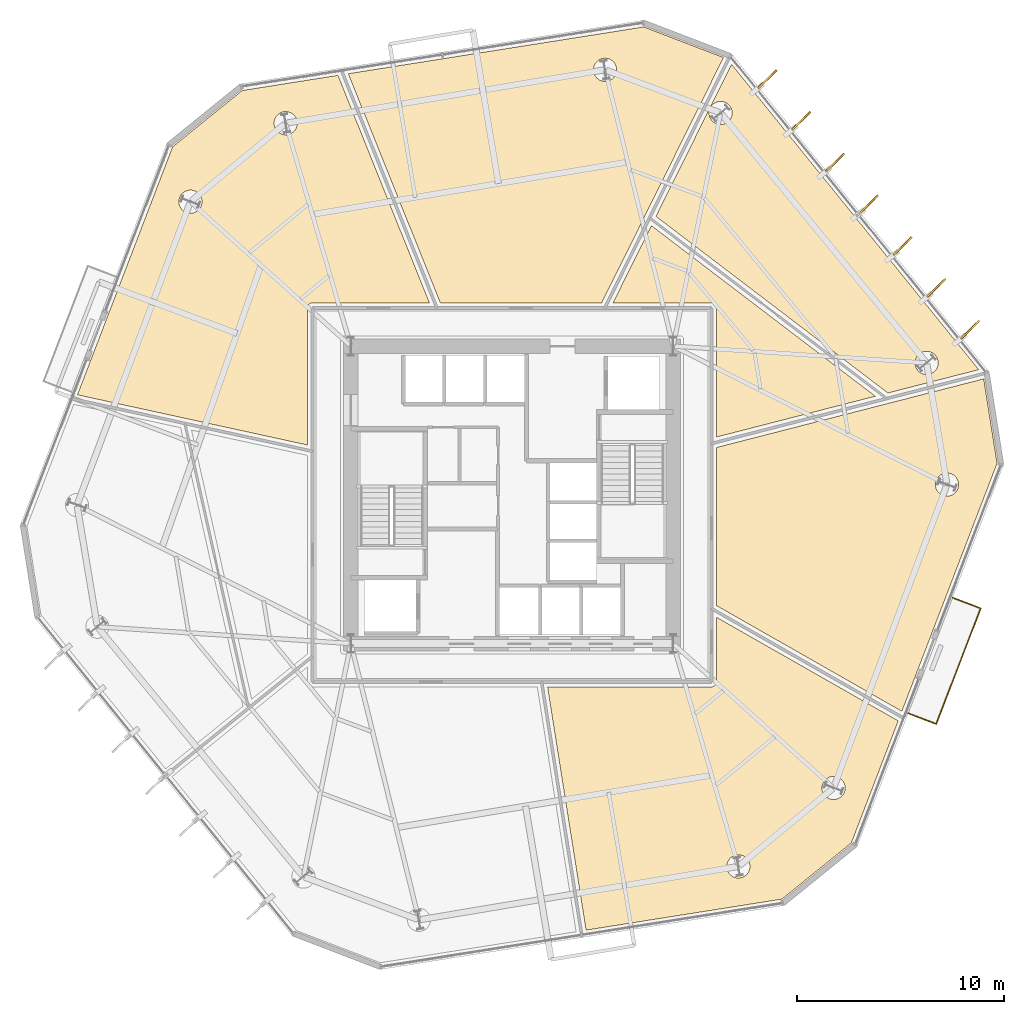
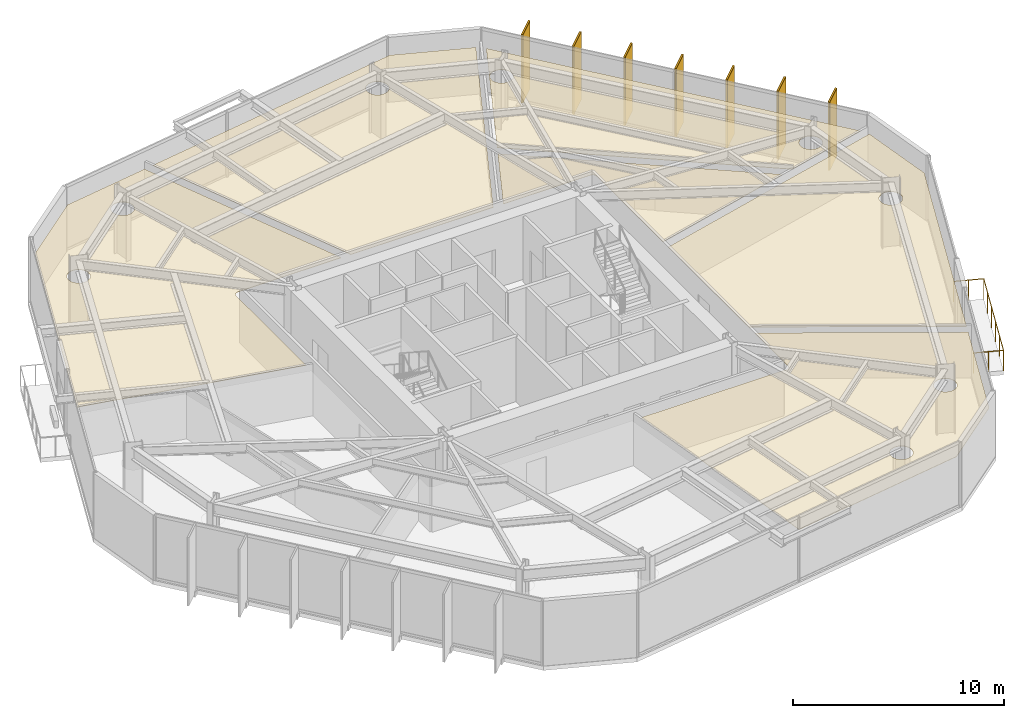
# One storey, part 11 of 11: 13 coverings, 7 shading devices, 1 railing.
"""IFC4 building model written with IfcOpenShell, lengths in metres."""

from ifc_helpers import new_model, si_unit, direction, frame, origin, origin_2d, place, context, subcontext, project, spatial, polyline, rectangle, circle, outline, extrude, material, layer, layer_set, type_object, element, save


model = new_model("IFC4")

# Units and contexts
model_context = context("Model", 3, precision=1e-05, world=origin(), true_north=direction((0.0, 1.0)))
body_context = subcontext(model_context, "Body", "Model", "MODEL_VIEW")
ifc_project = project(units=[si_unit("LENGTHUNIT", "METRE"), si_unit("AREAUNIT", "SQUARE_METRE"), si_unit("VOLUMEUNIT", "CUBIC_METRE"), si_unit("PLANEANGLEUNIT", "RADIAN"), si_unit("MASSUNIT", "GRAM", prefix="KILO")], contexts=[model_context])

# Site, building, storey
site_placement = place(None, origin())
site = spatial("IfcSite", under=ifc_project, at=site_placement, CompositionType="ELEMENT")
building_placement = place(site_placement, origin())
building = spatial("IfcBuilding", under=site, at=building_placement, Name="Kranzbogen Civic Tower", CompositionType="ELEMENT")
storey_placement = place(building_placement, frame((0.0, 0.0, 56.0)))
storey = spatial("IfcBuildingStorey", under=building, at=storey_placement, Name="L13", CompositionType="ELEMENT", Elevation=56.0)

# Coverings
ifc_material_1 = material(Name="Pale Anodised Aluminium", Category="aluminium")
ifc_layer_1 = layer(ifc_material_1, 0.02490234375, Name="Pale Anodised Aluminium")
ifc_layer_set_1 = layer_set([ifc_layer_1], Name="Pale Anodised Aluminium")
covering_type_1 = type_object("IfcCoveringType", Name="Anodised Aluminium Vertical Fin Cladding 25 mm", PredefinedType="CLADDING", material=ifc_layer_set_1)
for number, where, z_axis, x_axis, name in (
    (1, (47.180908203125, 32.9990234375, -0.139892578125), (0.0, 0.0, 1.0), (0.716180145105, 0.697915467487, 0.0), "L13 vertical fin pale-metal cladding F1-1"),
    (2, (45.544921875, 35.02001953125, -0.139892578125), (0.0, 0.0, 1.0), (0.716180145105, 0.697915467487, 0.0), "L13 vertical fin pale-metal cladding F1-2"),
    (3, (43.908935546875, 37.041015625, -0.139892578125), (0.0, 0.0, 1.0), (0.716180145105, 0.697915467487, 0.0), "L13 vertical fin pale-metal cladding F1-3"),
    (4, (42.27294921875, 39.06103515625, -0.139892578125), (0.0, 0.0, 1.0), (0.716180145105, 0.697915467487, 0.0), "L13 vertical fin pale-metal cladding F1-4"),
    (5, (40.636962890625, 41.08203125, -0.139892578125), (0.0, 0.0, 1.0), (0.716180145105, 0.697915467487, 0.0), "L13 vertical fin pale-metal cladding F1-5"),
    (6, (39.0, 43.10302734375, -0.139892578125), (0.0, 0.0, 1.0), (0.716180145105, 0.697915467487, 0.0), "L13 vertical fin pale-metal cladding F1-6"),
    (7, (37.364013671875, 45.123046875, -0.139892578125), (0.0, 0.0, 1.0), (0.716180145105, 0.697915467487, 0.0), "L13 vertical fin pale-metal cladding F1-7"),
):
    element("IfcCovering", number, at=place(storey_placement, frame(where, z_axis=z_axis, x_axis=x_axis)), inside=storey, type_object=covering_type_1, Name=name, PredefinedType="CLADDING", context=body_context, shape_type="SweptSolid", body=[
        extrude(rectangle(XDim=1.25, YDim=0.10009765625, at=origin_2d()), origin(), (0.0, 0.0, 1.0), 3.9599609375),
    ])

# Shading devices
ifc_material_2 = material(Name="Anodised Bronze Aluminium", Category="aluminium")
shading_device_type = type_object("IfcShadingDeviceType", Name="Anodised Bronze Vertical Facade Fin 1250x80", PredefinedType="USERDEFINED", material=ifc_material_2)
for number, where, z_axis, x_axis, name in (
    (8, (47.180908203125, 32.9990234375, -0.139892578125), (0.0, 0.0, 1.0), (0.716180145105, 0.697915467487, 0.0), "L13 vertical exterior shading fin F1-1"),
    (9, (45.544921875, 35.02001953125, -0.139892578125), (0.0, 0.0, 1.0), (0.716180145105, 0.697915467487, 0.0), "L13 vertical exterior shading fin F1-2"),
    (10, (43.908935546875, 37.041015625, -0.139892578125), (0.0, 0.0, 1.0), (0.716180145105, 0.697915467487, 0.0), "L13 vertical exterior shading fin F1-3"),
    (11, (42.27294921875, 39.06103515625, -0.139892578125), (0.0, 0.0, 1.0), (0.716180145105, 0.697915467487, 0.0), "L13 vertical exterior shading fin F1-4"),
    (12, (40.636962890625, 41.08203125, -0.139892578125), (0.0, 0.0, 1.0), (0.716180145105, 0.697915467487, 0.0), "L13 vertical exterior shading fin F1-5"),
    (13, (39.0, 43.10302734375, -0.139892578125), (0.0, 0.0, 1.0), (0.716180145105, 0.697915467487, 0.0), "L13 vertical exterior shading fin F1-6"),
    (14, (37.364013671875, 45.123046875, -0.139892578125), (0.0, 0.0, 1.0), (0.716180145105, 0.697915467487, 0.0), "L13 vertical exterior shading fin F1-7"),
):
    element("IfcShadingDevice", number, at=place(storey_placement, frame(where, z_axis=z_axis, x_axis=x_axis)), inside=storey, type_object=shading_device_type, Name=name, ObjectType="FIN", PredefinedType="USERDEFINED", context=body_context, shape_type="SweptSolid", body=[
        extrude(rectangle(XDim=1.25, YDim=0.080078125, at=origin_2d()), origin(), (0.0, 0.0, 1.0), 3.9599609375),
    ])

# Railing
railing_type = type_object("IfcRailingType", Name="Cantilevered Balcony Glass and Bronze Balustrade 1200", PredefinedType="BALUSTRADE", material=ifc_material_2)
railing_placement = place(storey_placement, frame((44.18408203125, 14.423095703125, 0.0)))
element("IfcRailing", 15, at=railing_placement, inside=storey, type_object=railing_type, Name="L13 exterior terrace balustrade L13-TB2", PredefinedType="BALUSTRADE", context=body_context, shape_type="SweptSolid", body=[
    extrude(circle(Radius=0.02392578125, at=origin_2d()), frame((0.0, 0.0, 1.17578125), z_axis=(0.933519025959, -0.358527862476, 0.0), x_axis=(0.358527862476, 0.933519025959, 0.0)), (0.0, 0.0, 1.0), 1.450439453125),
    extrude(circle(Radius=0.02392578125, at=origin_2d()), frame((1.35400390625, -0.52001953125, 1.17578125), z_axis=(0.358359975202, 0.933583487522, 0.0), x_axis=(-0.933583487522, 0.358359975202, 0.0)), (0.0, 0.0, 1.0), 5.999267578125),
    extrude(circle(Radius=0.02392578125, at=origin_2d()), frame((3.50390625, 5.080810546875, 1.17578125), z_axis=(-0.933519025959, 0.358527862476, 0.0), x_axis=(-0.358527862476, -0.933519025959, 0.0)), (0.0, 0.0, 1.0), 1.450439453125),
    extrude(circle(Radius=0.02099609375, at=origin_2d()), origin(), (0.0, 0.0, 1.0), 1.15185546875),
    extrude(circle(Radius=0.02099609375, at=origin_2d()), frame((0.677001953125, -0.260009765625, 0.0)), (0.0, 0.0, 1.0), 1.15185546875),
    extrude(circle(Radius=0.02099609375, at=origin_2d()), frame((1.35400390625, -0.52001953125, 0.0)), (0.0, 0.0, 1.0), 1.15185546875),
    extrude(circle(Radius=0.02099609375, at=origin_2d()), frame((1.783935546875, 0.60009765625, 0.0)), (0.0, 0.0, 1.0), 1.15185546875),
    extrude(circle(Radius=0.02099609375, at=origin_2d()), frame((2.2138671875, 1.72021484375, 0.0)), (0.0, 0.0, 1.0), 1.15185546875),
    extrude(circle(Radius=0.02099609375, at=origin_2d()), frame((2.64404296875, 2.840576171875, 0.0)), (0.0, 0.0, 1.0), 1.15185546875),
    extrude(circle(Radius=0.02099609375, at=origin_2d()), frame((3.073974609375, 3.960693359375, 0.0)), (0.0, 0.0, 1.0), 1.15185546875),
    extrude(circle(Radius=0.02099609375, at=origin_2d()), frame((3.50390625, 5.080810546875, 0.0)), (0.0, 0.0, 1.0), 1.15185546875),
    extrude(circle(Radius=0.02099609375, at=origin_2d()), frame((2.826904296875, 5.3408203125, 0.0)), (0.0, 0.0, 1.0), 1.15185546875),
    extrude(circle(Radius=0.02099609375, at=origin_2d()), frame((2.14990234375, 5.600830078125, 0.0)), (0.0, 0.0, 1.0), 1.15185546875),
])

# Coverings
ifc_material_3 = material(Name="Perforated Acoustic Gypsum Ceiling")
ifc_layer_2 = layer(ifc_material_3, 0.02490234375, Name="Perforated Acoustic Gypsum Ceiling")
ifc_layer_set_2 = layer_set([ifc_layer_2], Name="Perforated Acoustic Gypsum Ceiling")
covering_type_2 = type_object("IfcCoveringType", Name="Perforated Acoustic Mineral Ceiling Tile 25 mm", PredefinedType="CEILING", material=ifc_layer_set_2)
covering_1_placement = place(storey_placement, frame((0.0, 0.0, 2.75)))
element("IfcCovering", 16, at=covering_1_placement, inside=storey, type_object=covering_type_2, Name="L13 Staff Tea Pantry acoustic ceiling", PredefinedType="CEILING", context=body_context, shape_type="SweptSolid", body=[
    extrude(outline(polyline([(38.06591796875, 5.427978515625), (28.5859375, 3.927001953125), (26.719970703125, 15.705078125), (34.64990234375, 15.705078125), (34.658935546875, 15.705078125), (34.6650390625, 15.7060546875), (34.68310546875, 15.70703125), (34.68896484375, 15.7080078125), (34.7060546875, 15.7119140625), (34.712890625, 15.712890625), (34.72998046875, 15.718017578125), (34.736083984375, 15.719970703125), (34.751953125, 15.72705078125), (34.758056640625, 15.72998046875), (34.77294921875, 15.738037109375), (34.779052734375, 15.741943359375), (34.79296875, 15.7509765625), (34.798095703125, 15.7548828125), (34.81201171875, 15.76611328125), (34.81689453125, 15.77099609375), (34.8291015625, 15.782958984375), (34.833984375, 15.7880859375), (34.844970703125, 15.802001953125), (34.84912109375, 15.806884765625), (34.85791015625, 15.821044921875), (34.862060546875, 15.826904296875), (34.8701171875, 15.842041015625), (34.873046875, 15.847900390625), (34.8798828125, 15.864013671875), (34.882080078125, 15.8701171875), (34.886962890625, 15.886962890625), (34.887939453125, 15.89404296875), (34.89208984375, 15.910888671875), (34.89306640625, 15.9169921875), (34.89404296875, 15.93505859375), (34.89501953125, 15.94091796875), (34.89501953125, 15.949951171875), (34.89501953125, 19.075927734375), (43.696044921875, 14.05908203125), (41.427978515625, 8.15087890625), (38.06591796875, 5.427978515625)]), holes=[polyline([(36.47509765625, 6.798095703125), (36.450927734375, 6.748046875), (36.423095703125, 6.700927734375), (36.389892578125, 6.656982421875), (36.35400390625, 6.615966796875), (36.31298828125, 6.580078125), (36.26904296875, 6.547119140625), (36.221923828125, 6.51904296875), (36.172119140625, 6.4951171875), (36.1201171875, 6.47705078125), (36.06689453125, 6.462890625), (36.012939453125, 6.455078125), (35.9580078125, 6.452880859375), (35.903076171875, 6.455078125), (35.84912109375, 6.462890625), (35.7958984375, 6.47705078125), (35.743896484375, 6.4951171875), (35.694091796875, 6.51904296875), (35.64697265625, 6.547119140625), (35.60302734375, 6.580078125), (35.56201171875, 6.615966796875), (35.52587890625, 6.656982421875), (35.492919921875, 6.700927734375), (35.465087890625, 6.748046875), (35.44091796875, 6.798095703125), (35.423095703125, 6.85009765625), (35.408935546875, 6.903076171875), (35.40087890625, 6.95703125), (35.39892578125, 7.011962890625), (35.40087890625, 7.06689453125), (35.408935546875, 7.12109375), (35.423095703125, 7.174072265625), (35.44091796875, 7.22607421875), (35.465087890625, 7.27587890625), (35.492919921875, 7.322998046875), (35.52587890625, 7.366943359375), (35.56201171875, 7.407958984375), (35.60302734375, 7.444091796875), (35.64697265625, 7.47705078125), (35.694091796875, 7.5048828125), (35.743896484375, 7.529052734375), (35.7958984375, 7.547119140625), (35.84912109375, 7.56103515625), (35.903076171875, 7.569091796875), (35.9580078125, 7.571044921875), (36.012939453125, 7.569091796875), (36.06689453125, 7.56103515625), (36.1201171875, 7.547119140625), (36.172119140625, 7.529052734375), (36.221923828125, 7.5048828125), (36.26904296875, 7.47705078125), (36.31298828125, 7.444091796875), (36.35400390625, 7.407958984375), (36.389892578125, 7.366943359375), (36.423095703125, 7.322998046875), (36.450927734375, 7.27587890625), (36.47509765625, 7.22607421875), (36.492919921875, 7.174072265625), (36.507080078125, 7.12109375), (36.514892578125, 7.06689453125), (36.51708984375, 7.011962890625), (36.514892578125, 6.95703125), (36.507080078125, 6.903076171875), (36.492919921875, 6.85009765625), (36.47509765625, 6.798095703125)]), polyline([(41.083984375, 10.596923828125), (41.06005859375, 10.547119140625), (41.031982421875, 10.5), (40.9990234375, 10.4560546875), (40.962890625, 10.4150390625), (40.922119140625, 10.37890625), (40.8779296875, 10.345947265625), (40.8310546875, 10.318115234375), (40.781005859375, 10.2939453125), (40.72900390625, 10.27587890625), (40.676025390625, 10.261962890625), (40.6220703125, 10.25390625), (40.56689453125, 10.251953125), (40.511962890625, 10.25390625), (40.4580078125, 10.261962890625), (40.405029296875, 10.27587890625), (40.35302734375, 10.2939453125), (40.302978515625, 10.318115234375), (40.256103515625, 10.345947265625), (40.2119140625, 10.37890625), (40.1708984375, 10.4150390625), (40.135009765625, 10.4560546875), (40.10205078125, 10.5), (40.073974609375, 10.547119140625), (40.050048828125, 10.596923828125), (40.031982421875, 10.64892578125), (40.01806640625, 10.701904296875), (40.010009765625, 10.756103515625), (40.008056640625, 10.81103515625), (40.010009765625, 10.865966796875), (40.01806640625, 10.919921875), (40.031982421875, 10.972900390625), (40.050048828125, 11.02490234375), (40.073974609375, 11.074951171875), (40.10205078125, 11.1220703125), (40.135009765625, 11.166015625), (40.1708984375, 11.20703125), (40.2119140625, 11.242919921875), (40.256103515625, 11.27587890625), (40.302978515625, 11.303955078125), (40.35302734375, 11.327880859375), (40.405029296875, 11.345947265625), (40.4580078125, 11.360107421875), (40.511962890625, 11.367919921875), (40.56689453125, 11.3701171875), (40.6220703125, 11.367919921875), (40.676025390625, 11.360107421875), (40.72900390625, 11.345947265625), (40.781005859375, 11.327880859375), (40.8310546875, 11.303955078125), (40.8779296875, 11.27587890625), (40.922119140625, 11.242919921875), (40.962890625, 11.20703125), (40.9990234375, 11.166015625), (41.031982421875, 11.1220703125), (41.06005859375, 11.074951171875), (41.083984375, 11.02490234375), (41.10205078125, 10.972900390625), (41.115966796875, 10.919921875), (41.1240234375, 10.865966796875), (41.1259765625, 10.81103515625), (41.1240234375, 10.756103515625), (41.115966796875, 10.701904296875), (41.10205078125, 10.64892578125), (41.083984375, 10.596923828125)])]), origin(), (0.0, 0.0, 1.0), 0.02490234375),
])
covering_2_placement = place(storey_placement, frame((0.0, 0.0, 2.75)))
element("IfcCovering", 17, at=covering_2_placement, inside=storey, type_object=covering_type_2, Name="L13 Hospitality Catering Kitchen acoustic ceiling", PredefinedType="CEILING", context=body_context, shape_type="SweptSolid", body=[
    extrude(outline(polyline([(34.89501953125, 19.639892578125), (34.89501953125, 27.2900390625), (47.8349609375, 30.614990234375), (48.48193359375, 26.529052734375), (43.873046875, 14.52099609375), (34.89501953125, 19.639892578125)]), holes=[polyline([(46.573974609375, 25.281982421875), (46.550048828125, 25.23193359375), (46.52197265625, 25.18505859375), (46.489013671875, 25.14111328125), (46.452880859375, 25.10009765625), (46.412109375, 25.06396484375), (46.367919921875, 25.031005859375), (46.321044921875, 25.0029296875), (46.27099609375, 24.97900390625), (46.218994140625, 24.9609375), (46.166015625, 24.947021484375), (46.112060546875, 24.93896484375), (46.056884765625, 24.93701171875), (46.001953125, 24.93896484375), (45.947998046875, 24.947021484375), (45.89501953125, 24.9609375), (45.843017578125, 24.97900390625), (45.79296875, 25.0029296875), (45.74609375, 25.031005859375), (45.701904296875, 25.06396484375), (45.660888671875, 25.10009765625), (45.625, 25.14111328125), (45.592041015625, 25.18505859375), (45.56396484375, 25.23193359375), (45.5400390625, 25.281982421875), (45.52197265625, 25.333984375), (45.508056640625, 25.386962890625), (45.5, 25.44091796875), (45.498046875, 25.49609375), (45.5, 25.551025390625), (45.508056640625, 25.60498046875), (45.52197265625, 25.657958984375), (45.5400390625, 25.7099609375), (45.56396484375, 25.760009765625), (45.592041015625, 25.806884765625), (45.625, 25.85107421875), (45.660888671875, 25.89208984375), (45.701904296875, 25.927978515625), (45.74609375, 25.9609375), (45.79296875, 25.989013671875), (45.843017578125, 26.012939453125), (45.89501953125, 26.031005859375), (45.947998046875, 26.044921875), (46.001953125, 26.052978515625), (46.056884765625, 26.054931640625), (46.112060546875, 26.052978515625), (46.166015625, 26.044921875), (46.218994140625, 26.031005859375), (46.27099609375, 26.012939453125), (46.321044921875, 25.989013671875), (46.367919921875, 25.9609375), (46.412109375, 25.927978515625), (46.452880859375, 25.89208984375), (46.489013671875, 25.85107421875), (46.52197265625, 25.806884765625), (46.550048828125, 25.760009765625), (46.573974609375, 25.7099609375), (46.592041015625, 25.657958984375), (46.60595703125, 25.60498046875), (46.614013671875, 25.551025390625), (46.615966796875, 25.49609375), (46.614013671875, 25.44091796875), (46.60595703125, 25.386962890625), (46.592041015625, 25.333984375), (46.573974609375, 25.281982421875)])]), origin(), (0.0, 0.0, 1.0), 0.02490234375),
])
covering_3_placement = place(storey_placement, frame((0.0, 0.0, 2.75)))
element("IfcCovering", 18, at=covering_3_placement, inside=storey, type_object=covering_type_2, Name="L13 Legal Counsel Office acoustic ceiling", PredefinedType="CEILING", context=body_context, shape_type="SweptSolid", body=[
    extrude(outline(polyline([(34.89501953125, 34.050048828125), (34.89501953125, 34.05908203125), (34.89404296875, 34.06494140625), (34.89306640625, 34.0830078125), (34.89208984375, 34.089111328125), (34.887939453125, 34.10595703125), (34.886962890625, 34.113037109375), (34.882080078125, 34.1298828125), (34.8798828125, 34.135986328125), (34.873046875, 34.152099609375), (34.8701171875, 34.157958984375), (34.862060546875, 34.173095703125), (34.85791015625, 34.178955078125), (34.84912109375, 34.193115234375), (34.844970703125, 34.197998046875), (34.833984375, 34.2119140625), (34.8291015625, 34.217041015625), (34.81689453125, 34.22900390625), (34.81201171875, 34.23388671875), (34.798095703125, 34.2451171875), (34.79296875, 34.2490234375), (34.779052734375, 34.258056640625), (34.77294921875, 34.261962890625), (34.758056640625, 34.27001953125), (34.751953125, 34.27294921875), (34.736083984375, 34.280029296875), (34.72998046875, 34.281982421875), (34.712890625, 34.287109375), (34.7060546875, 34.2880859375), (34.68896484375, 34.2919921875), (34.68310546875, 34.29296875), (34.6650390625, 34.2939453125), (34.658935546875, 34.294921875), (34.64990234375, 34.294921875), (29.889892578125, 34.294921875), (31.74609375, 38.031982421875), (42.591064453125, 29.77294921875), (34.89501953125, 27.7958984375), (34.89501953125, 34.050048828125)])), origin(), (0.0, 0.0, 1.0), 0.02490234375),
])
covering_4_placement = place(storey_placement, frame((0.0, 0.0, 2.75)))
element("IfcCovering", 19, at=covering_4_placement, inside=storey, type_object=covering_type_2, Name="L13 Operations Security Control Room acoustic ceiling", PredefinedType="CEILING", context=body_context, shape_type="SweptSolid", body=[
    extrude(outline(polyline([(31.968017578125, 38.47900390625), (35.6259765625, 45.843994140625), (47.596923828125, 31.05908203125), (43.196044921875, 29.928955078125), (31.968017578125, 38.47900390625)]), holes=[polyline([(45.589111328125, 31.172119140625), (45.56494140625, 31.1220703125), (45.537109375, 31.074951171875), (45.50390625, 31.031005859375), (45.468017578125, 30.989990234375), (45.427001953125, 30.9541015625), (45.383056640625, 30.9208984375), (45.3359375, 30.89306640625), (45.285888671875, 30.868896484375), (45.23388671875, 30.85107421875), (45.180908203125, 30.8369140625), (45.126953125, 30.8291015625), (45.072021484375, 30.826904296875), (45.01708984375, 30.8291015625), (44.962890625, 30.8369140625), (44.909912109375, 30.85107421875), (44.85791015625, 30.868896484375), (44.80810546875, 30.89306640625), (44.760986328125, 30.9208984375), (44.717041015625, 30.9541015625), (44.676025390625, 30.989990234375), (44.639892578125, 31.031005859375), (44.60693359375, 31.074951171875), (44.5791015625, 31.1220703125), (44.554931640625, 31.172119140625), (44.537109375, 31.22412109375), (44.52294921875, 31.277099609375), (44.514892578125, 31.3310546875), (44.512939453125, 31.385986328125), (44.514892578125, 31.44091796875), (44.52294921875, 31.4951171875), (44.537109375, 31.548095703125), (44.554931640625, 31.60009765625), (44.5791015625, 31.64990234375), (44.60693359375, 31.697021484375), (44.639892578125, 31.740966796875), (44.676025390625, 31.781982421875), (44.717041015625, 31.818115234375), (44.760986328125, 31.85107421875), (44.80810546875, 31.87890625), (44.85791015625, 31.903076171875), (44.909912109375, 31.9208984375), (44.962890625, 31.93505859375), (45.01708984375, 31.943115234375), (45.072021484375, 31.945068359375), (45.126953125, 31.943115234375), (45.180908203125, 31.93505859375), (45.23388671875, 31.9208984375), (45.285888671875, 31.903076171875), (45.3359375, 31.87890625), (45.383056640625, 31.85107421875), (45.427001953125, 31.818115234375), (45.468017578125, 31.781982421875), (45.50390625, 31.740966796875), (45.537109375, 31.697021484375), (45.56494140625, 31.64990234375), (45.589111328125, 31.60009765625), (45.60693359375, 31.548095703125), (45.62109375, 31.4951171875), (45.62890625, 31.44091796875), (45.631103515625, 31.385986328125), (45.62890625, 31.3310546875), (45.62109375, 31.277099609375), (45.60693359375, 31.22412109375), (45.589111328125, 31.172119140625)]), polyline([(35.615966796875, 43.27001953125), (35.592041015625, 43.219970703125), (35.56396484375, 43.173095703125), (35.531005859375, 43.12890625), (35.4951171875, 43.087890625), (35.4541015625, 43.052001953125), (35.409912109375, 43.01904296875), (35.363037109375, 42.990966796875), (35.31298828125, 42.967041015625), (35.260986328125, 42.948974609375), (35.2080078125, 42.93505859375), (35.154052734375, 42.927001953125), (35.09912109375, 42.925048828125), (35.0439453125, 42.927001953125), (34.989990234375, 42.93505859375), (34.93701171875, 42.948974609375), (34.885009765625, 42.967041015625), (34.8349609375, 42.990966796875), (34.7880859375, 43.01904296875), (34.743896484375, 43.052001953125), (34.702880859375, 43.087890625), (34.6669921875, 43.12890625), (34.634033203125, 43.173095703125), (34.60595703125, 43.219970703125), (34.58203125, 43.27001953125), (34.56396484375, 43.322021484375), (34.550048828125, 43.375), (34.5419921875, 43.428955078125), (34.5400390625, 43.48388671875), (34.5419921875, 43.5390625), (34.550048828125, 43.593017578125), (34.56396484375, 43.64599609375), (34.58203125, 43.697998046875), (34.60595703125, 43.748046875), (34.634033203125, 43.794921875), (34.6669921875, 43.839111328125), (34.702880859375, 43.8798828125), (34.743896484375, 43.916015625), (34.7880859375, 43.948974609375), (34.8349609375, 43.97705078125), (34.885009765625, 44.0009765625), (34.93701171875, 44.01904296875), (34.989990234375, 44.032958984375), (35.0439453125, 44.041015625), (35.09912109375, 44.04296875), (35.154052734375, 44.041015625), (35.2080078125, 44.032958984375), (35.260986328125, 44.01904296875), (35.31298828125, 44.0009765625), (35.363037109375, 43.97705078125), (35.409912109375, 43.948974609375), (35.4541015625, 43.916015625), (35.4951171875, 43.8798828125), (35.531005859375, 43.839111328125), (35.56396484375, 43.794921875), (35.592041015625, 43.748046875), (35.615966796875, 43.697998046875), (35.634033203125, 43.64599609375), (35.64794921875, 43.593017578125), (35.656005859375, 43.5390625), (35.657958984375, 43.48388671875), (35.656005859375, 43.428955078125), (35.64794921875, 43.375), (35.634033203125, 43.322021484375), (35.615966796875, 43.27001953125)])]), origin(), (0.0, 0.0, 1.0), 0.02490234375),
])
covering_5_placement = place(storey_placement, frame((0.0, 0.0, 2.75)))
element("IfcCovering", 20, at=covering_5_placement, inside=storey, type_object=covering_type_2, Name="L13 Citizen Services Kiosk acoustic ceiling", PredefinedType="CEILING", context=body_context, shape_type="SweptSolid", body=[
    extrude(outline(polyline([(35.239990234375, 46.169921875), (29.343017578125, 34.294921875), (21.530029296875, 34.294921875), (17.073974609375, 45.385986328125), (31.37890625, 47.65087890625), (35.239990234375, 46.169921875)]), holes=[polyline([(30.02197265625, 45.362060546875), (29.998046875, 45.31201171875), (29.969970703125, 45.264892578125), (29.93701171875, 45.220947265625), (29.90087890625, 45.179931640625), (29.860107421875, 45.14404296875), (29.81591796875, 45.111083984375), (29.76904296875, 45.0830078125), (29.718994140625, 45.05908203125), (29.6669921875, 45.041015625), (29.614013671875, 45.027099609375), (29.56005859375, 45.01904296875), (29.5048828125, 45.01708984375), (29.449951171875, 45.01904296875), (29.39599609375, 45.027099609375), (29.343017578125, 45.041015625), (29.291015625, 45.05908203125), (29.240966796875, 45.0830078125), (29.194091796875, 45.111083984375), (29.14990234375, 45.14404296875), (29.10888671875, 45.179931640625), (29.072998046875, 45.220947265625), (29.0400390625, 45.264892578125), (29.011962890625, 45.31201171875), (28.988037109375, 45.362060546875), (28.969970703125, 45.4140625), (28.9560546875, 45.467041015625), (28.947998046875, 45.52099609375), (28.946044921875, 45.575927734375), (28.947998046875, 45.631103515625), (28.9560546875, 45.68505859375), (28.969970703125, 45.738037109375), (28.988037109375, 45.7900390625), (29.011962890625, 45.840087890625), (29.0400390625, 45.886962890625), (29.072998046875, 45.930908203125), (29.10888671875, 45.971923828125), (29.14990234375, 46.008056640625), (29.194091796875, 46.041015625), (29.240966796875, 46.069091796875), (29.291015625, 46.093017578125), (29.343017578125, 46.111083984375), (29.39599609375, 46.125), (29.449951171875, 46.133056640625), (29.5048828125, 46.135009765625), (29.56005859375, 46.133056640625), (29.614013671875, 46.125), (29.6669921875, 46.111083984375), (29.718994140625, 46.093017578125), (29.76904296875, 46.069091796875), (29.81591796875, 46.041015625), (29.860107421875, 46.008056640625), (29.90087890625, 45.971923828125), (29.93701171875, 45.930908203125), (29.969970703125, 45.886962890625), (29.998046875, 45.840087890625), (30.02197265625, 45.7900390625), (30.0400390625, 45.738037109375), (30.053955078125, 45.68505859375), (30.06201171875, 45.631103515625), (30.06396484375, 45.575927734375), (30.06201171875, 45.52099609375), (30.053955078125, 45.467041015625), (30.0400390625, 45.4140625), (30.02197265625, 45.362060546875)])]), origin(), (0.0, 0.0, 1.0), 0.02490234375),
])
covering_6_placement = place(storey_placement, frame((0.0, 0.0, 2.75)))
element("IfcCovering", 21, at=covering_6_placement, inside=storey, type_object=covering_type_2, Name="L13 Executive Briefing Conference Room acoustic ceiling", PredefinedType="CEILING", context=body_context, shape_type="SweptSolid", body=[
    extrude(outline(polyline([(11.93408203125, 44.572021484375), (16.576904296875, 45.306884765625), (21.001953125, 34.294921875), (15.35009765625, 34.294921875), (15.341064453125, 34.294921875), (15.3349609375, 34.2939453125), (15.31689453125, 34.29296875), (15.31103515625, 34.2919921875), (15.2939453125, 34.2880859375), (15.287109375, 34.287109375), (15.27001953125, 34.281982421875), (15.263916015625, 34.280029296875), (15.248046875, 34.27294921875), (15.241943359375, 34.27001953125), (15.22705078125, 34.261962890625), (15.220947265625, 34.258056640625), (15.20703125, 34.2490234375), (15.201904296875, 34.2451171875), (15.18798828125, 34.23388671875), (15.18310546875, 34.22900390625), (15.1708984375, 34.217041015625), (15.166015625, 34.2119140625), (15.155029296875, 34.197998046875), (15.15087890625, 34.193115234375), (15.14208984375, 34.178955078125), (15.137939453125, 34.173095703125), (15.1298828125, 34.157958984375), (15.126953125, 34.152099609375), (15.1201171875, 34.135986328125), (15.117919921875, 34.1298828125), (15.113037109375, 34.113037109375), (15.112060546875, 34.10595703125), (15.10791015625, 34.089111328125), (15.10693359375, 34.0830078125), (15.10595703125, 34.06494140625), (15.10498046875, 34.05908203125), (15.10498046875, 34.050048828125), (15.10498046875, 27.409912109375), (3.962890625, 29.841064453125), (8.572021484375, 41.84912109375), (11.93408203125, 44.572021484375)]), holes=[polyline([(9.949951171875, 38.97509765625), (9.926025390625, 38.925048828125), (9.89794921875, 38.8779296875), (9.864990234375, 38.833984375), (9.8291015625, 38.79296875), (9.7880859375, 38.757080078125), (9.743896484375, 38.72412109375), (9.697021484375, 38.696044921875), (9.64697265625, 38.672119140625), (9.594970703125, 38.654052734375), (9.5419921875, 38.639892578125), (9.488037109375, 38.632080078125), (9.43310546875, 38.6298828125), (9.3779296875, 38.632080078125), (9.323974609375, 38.639892578125), (9.27099609375, 38.654052734375), (9.218994140625, 38.672119140625), (9.1689453125, 38.696044921875), (9.1220703125, 38.72412109375), (9.077880859375, 38.757080078125), (9.037109375, 38.79296875), (9.0009765625, 38.833984375), (8.968017578125, 38.8779296875), (8.93994140625, 38.925048828125), (8.916015625, 38.97509765625), (8.89794921875, 39.027099609375), (8.884033203125, 39.080078125), (8.8759765625, 39.134033203125), (8.8740234375, 39.18896484375), (8.8759765625, 39.243896484375), (8.884033203125, 39.298095703125), (8.89794921875, 39.35107421875), (8.916015625, 39.403076171875), (8.93994140625, 39.452880859375), (8.968017578125, 39.5), (9.0009765625, 39.5439453125), (9.037109375, 39.5849609375), (9.077880859375, 39.62109375), (9.1220703125, 39.654052734375), (9.1689453125, 39.681884765625), (9.218994140625, 39.7060546875), (9.27099609375, 39.72412109375), (9.323974609375, 39.738037109375), (9.3779296875, 39.74609375), (9.43310546875, 39.748046875), (9.488037109375, 39.74609375), (9.5419921875, 39.738037109375), (9.594970703125, 39.72412109375), (9.64697265625, 39.7060546875), (9.697021484375, 39.681884765625), (9.743896484375, 39.654052734375), (9.7880859375, 39.62109375), (9.8291015625, 39.5849609375), (9.864990234375, 39.5439453125), (9.89794921875, 39.5), (9.926025390625, 39.452880859375), (9.949951171875, 39.403076171875), (9.968017578125, 39.35107421875), (9.98193359375, 39.298095703125), (9.989990234375, 39.243896484375), (9.991943359375, 39.18896484375), (9.989990234375, 39.134033203125), (9.98193359375, 39.080078125), (9.968017578125, 39.027099609375), (9.949951171875, 38.97509765625)]), polyline([(14.55908203125, 42.77392578125), (14.534912109375, 42.72412109375), (14.507080078125, 42.677001953125), (14.47412109375, 42.633056640625), (14.43798828125, 42.592041015625), (14.39697265625, 42.555908203125), (14.35302734375, 42.52294921875), (14.305908203125, 42.4951171875), (14.256103515625, 42.470947265625), (14.2041015625, 42.452880859375), (14.15087890625, 42.43896484375), (14.096923828125, 42.430908203125), (14.0419921875, 42.428955078125), (13.987060546875, 42.430908203125), (13.93310546875, 42.43896484375), (13.8798828125, 42.452880859375), (13.827880859375, 42.470947265625), (13.778076171875, 42.4951171875), (13.73095703125, 42.52294921875), (13.68701171875, 42.555908203125), (13.64599609375, 42.592041015625), (13.610107421875, 42.633056640625), (13.576904296875, 42.677001953125), (13.549072265625, 42.72412109375), (13.52490234375, 42.77392578125), (13.507080078125, 42.825927734375), (13.492919921875, 42.87890625), (13.485107421875, 42.93310546875), (13.48291015625, 42.988037109375), (13.485107421875, 43.04296875), (13.492919921875, 43.096923828125), (13.507080078125, 43.14990234375), (13.52490234375, 43.201904296875), (13.549072265625, 43.251953125), (13.576904296875, 43.299072265625), (13.610107421875, 43.343017578125), (13.64599609375, 43.384033203125), (13.68701171875, 43.419921875), (13.73095703125, 43.452880859375), (13.778076171875, 43.48095703125), (13.827880859375, 43.5048828125), (13.8798828125, 43.52294921875), (13.93310546875, 43.537109375), (13.987060546875, 43.544921875), (14.0419921875, 43.547119140625), (14.096923828125, 43.544921875), (14.15087890625, 43.537109375), (14.2041015625, 43.52294921875), (14.256103515625, 43.5048828125), (14.305908203125, 43.48095703125), (14.35302734375, 43.452880859375), (14.39697265625, 43.419921875), (14.43798828125, 43.384033203125), (14.47412109375, 43.343017578125), (14.507080078125, 43.299072265625), (14.534912109375, 43.251953125), (14.55908203125, 43.201904296875), (14.576904296875, 43.14990234375), (14.591064453125, 43.096923828125), (14.59912109375, 43.04296875), (14.60107421875, 42.988037109375), (14.59912109375, 42.93310546875), (14.591064453125, 42.87890625), (14.576904296875, 42.825927734375), (14.55908203125, 42.77392578125)])]), origin(), (0.0, 0.0, 1.0), 0.02490234375),
])

save(model, "model.ifc")
